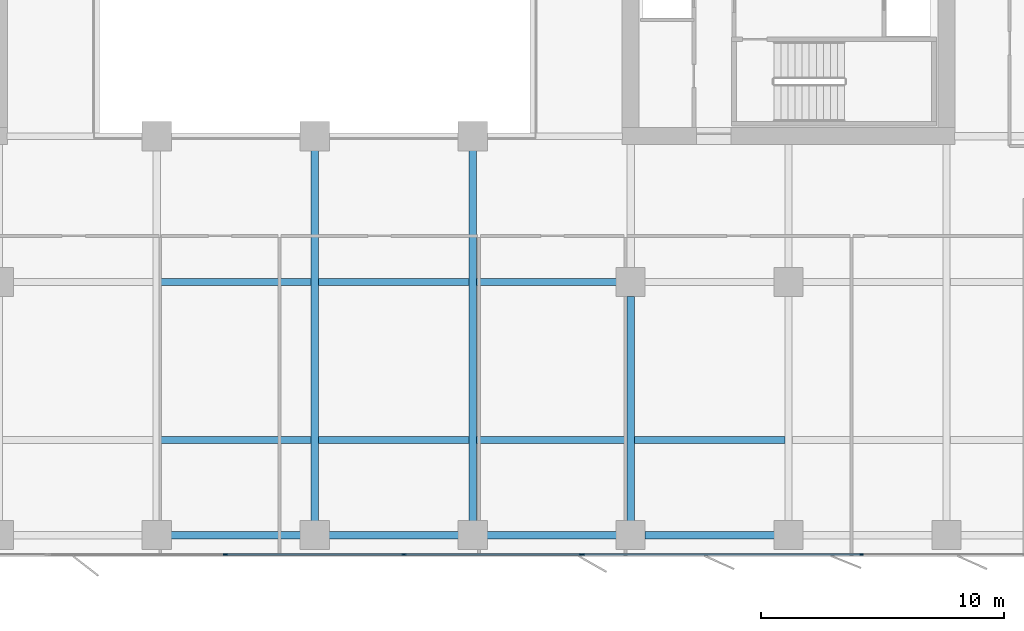
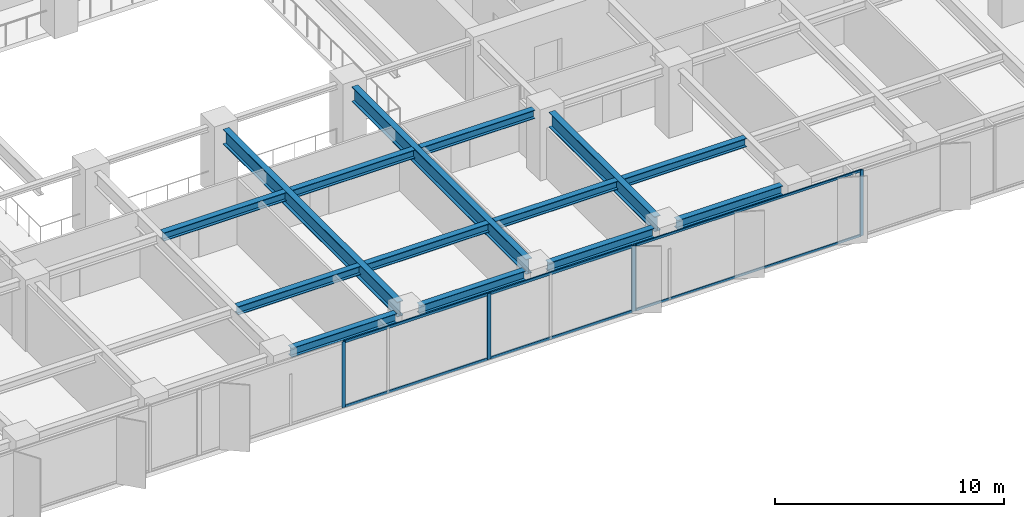
# One storey, part 5 of 20: 14 beams, 11 members, 2 elements without a shape of their own.
"""IFC4 building model written with IfcOpenShell, lengths in metres."""

from ifc_helpers import new_model, si_unit, direction, frame, origin, origin_2d, place, context, subcontext, project, spatial, rectangle, i_section, extrude, material, layer, layer_set, material_profile, profile_set, type_object, element, aggregate, save


model = new_model("IFC4")

# Units and contexts
model_context = context("Model", 3, precision=1e-05, world=origin(), true_north=direction((0.0, 1.0)))
body_context = subcontext(model_context, "Body", "Model", "MODEL_VIEW")
ifc_project = project(units=[si_unit("LENGTHUNIT", "METRE"), si_unit("AREAUNIT", "SQUARE_METRE"), si_unit("VOLUMEUNIT", "CUBIC_METRE"), si_unit("PLANEANGLEUNIT", "RADIAN"), si_unit("MASSUNIT", "GRAM", prefix="KILO")], contexts=[model_context])

# Site, building, storey
site_placement = place(None, origin())
site = spatial("IfcSite", under=ifc_project, at=site_placement, CompositionType="ELEMENT")
building_placement = place(site_placement, origin())
building = spatial("IfcBuilding", under=site, at=building_placement, Name="Putna Gate Headquarters", CompositionType="ELEMENT")
storey_placement = place(building_placement, frame((0.0, 0.0, 135.39990234375)))
storey = spatial("IfcBuildingStorey", under=building, at=storey_placement, Name="L33", CompositionType="ELEMENT", Elevation=135.39990234375)

# Beams
ifc_material_1 = material(Name="Steel S355J2", Category="steel")
ifc_material_profile_1 = material_profile(ifc_material_1, i_section(OverallWidth=0.300048828125, OverallDepth=0.800048828125, WebThickness=0.017578125, FlangeThickness=0.032958984375, at=origin_2d()), Name="Steel S355J2")
ifc_profile_set_1 = profile_set([ifc_material_profile_1], Name="Steel S355J2")
beam_type_1 = type_object("IfcBeamType", Name="BM-GIRD-P-HEB800", PredefinedType="USERDEFINED", material=ifc_profile_set_1)
for number, where, z_axis, x_axis, name in (
    (1, (39.0, 3.16796875, 3.1201171875), (0.0, 1.0, 0.0), (-1.0, 0.0, 0.0), "L33 South Primary Girder X39"),
    (2, (45.5, 3.16796875, 3.1201171875), (0.0, 1.0, 0.0), (-1.0, 0.0, 0.0), "L33 South Primary Girder X45"),
):
    element("IfcBeam", number, at=place(storey_placement, frame(where, z_axis=z_axis, x_axis=x_axis)), inside=storey, type_object=beam_type_1, Name=name, ObjectType="GIRDER", PredefinedType="USERDEFINED", context=body_context, shape_type="SweptSolid", body=[
        extrude(i_section(OverallWidth=0.300048828125, OverallDepth=0.800048828125, WebThickness=0.017578125, FlangeThickness=0.032958984375, at=origin_2d()), origin(), (0.0, 0.0, 1.0), 15.244140625),
    ])
beam_1_placement = place(storey_placement, frame((52.0, 3.16796875, 3.1201171875), z_axis=(0.0, 1.0, 0.0), x_axis=(-1.0, 0.0, 0.0)))
element("IfcBeam", 3, at=beam_1_placement, inside=storey, type_object=beam_type_1, Name="L33 South Primary Girder X52-1", ObjectType="GIRDER", PredefinedType="USERDEFINED", context=body_context, shape_type="SweptSolid", body=[
    extrude(i_section(OverallWidth=0.300048828125, OverallDepth=0.800048828125, WebThickness=0.017578125, FlangeThickness=0.032958984375, at=origin_2d()), origin(), (0.0, 0.0, 1.0), 9.244140625),
])
ifc_material_profile_2 = material_profile(ifc_material_1, i_section(OverallWidth=0.300048828125, OverallDepth=0.449951171875, WebThickness=0.013916015625, FlangeThickness=0.02587890625, at=origin_2d()), Name="Steel S355J2")
ifc_profile_set_2 = profile_set([ifc_material_profile_2], Name="Steel S355J2")
beam_type_2 = type_object("IfcBeamType", Name="BM-GIRD-Z5-HEB450", PredefinedType="USERDEFINED", material=ifc_profile_set_2)
for number, where, z_axis, x_axis, name in (
    (4, (32.654052734375, 6.5, 3.295166015625), (1.0, 0.0, 0.0), (0.0, 1.0, 0.0), "L33 South Secondary Beam 5"),
    (5, (32.654052734375, 13.0, 3.295166015625), (1.0, 0.0, 0.0), (0.0, 1.0, 0.0), "L33 South Secondary Beam 5"),
    (6, (39.154052734375, 6.5, 3.295166015625), (1.0, 0.0, 0.0), (0.0, 1.0, 0.0), "L33 South Secondary Beam 6"),
    (7, (39.154052734375, 13.0, 3.295166015625), (1.0, 0.0, 0.0), (0.0, 1.0, 0.0), "L33 South Secondary Beam 6"),
    (8, (45.654052734375, 6.5, 3.295166015625), (1.0, 0.0, 0.0), (0.0, 1.0, 0.0), "L33 South Secondary Beam 7"),
):
    element("IfcBeam", number, at=place(storey_placement, frame(where, z_axis=z_axis, x_axis=x_axis)), inside=storey, type_object=beam_type_2, Name=name, ObjectType="GIRDER", PredefinedType="USERDEFINED", context=body_context, shape_type="SweptSolid", body=[
        extrude(i_section(OverallWidth=0.300048828125, OverallDepth=0.449951171875, WebThickness=0.013916015625, FlangeThickness=0.02587890625, at=origin_2d()), origin(), (0.0, 0.0, 1.0), 6.19189453125),
    ])
beam_2_placement = place(storey_placement, frame((45.654052734375, 13.0, 3.295166015625), z_axis=(1.0, 0.0, 0.0), x_axis=(0.0, 1.0, 0.0)))
element("IfcBeam", 9, at=beam_2_placement, inside=storey, type_object=beam_type_2, Name="L33 South Secondary Beam 7", ObjectType="GIRDER", PredefinedType="USERDEFINED", context=body_context, shape_type="SweptSolid", body=[
    extrude(i_section(OverallWidth=0.300048828125, OverallDepth=0.449951171875, WebThickness=0.013916015625, FlangeThickness=0.02587890625, at=origin_2d()), origin(), (0.0, 0.0, 1.0), 5.758056640625),
])
beam_3_placement = place(storey_placement, frame((52.154052734375, 6.5, 3.295166015625), z_axis=(1.0, 0.0, 0.0), x_axis=(0.0, 1.0, 0.0)))
element("IfcBeam", 10, at=beam_3_placement, inside=storey, type_object=beam_type_2, Name="L33 South Secondary Beam 8", ObjectType="GIRDER", PredefinedType="USERDEFINED", context=body_context, shape_type="SweptSolid", body=[
    extrude(i_section(OverallWidth=0.300048828125, OverallDepth=0.449951171875, WebThickness=0.013916015625, FlangeThickness=0.02587890625, at=origin_2d()), origin(), (0.0, 0.0, 1.0), 6.19189453125),
])
ifc_material_profile_3 = material_profile(ifc_material_1, i_section(OverallWidth=0.300048828125, OverallDepth=0.489990234375, WebThickness=0.011962890625, FlangeThickness=0.02294921875, at=origin_2d()), Name="Steel S355J2")
ifc_profile_set_3 = profile_set([ifc_material_profile_3], Name="Steel S355J2")
beam_type_3 = type_object("IfcBeamType", Name="BM-SPAN-Z2-HEA500", PredefinedType="SPANDREL", material=ifc_profile_set_3)
for number, where, z_axis, x_axis, name in (
    (11, (33.087890625, 2.580078125, 3.275146484375), (1.0, 0.0, 0.0), (0.0, 1.0, 0.0), "L33 S Perimeter Spandrel 5"),
    (12, (39.587890625, 2.580078125, 3.275146484375), (1.0, 0.0, 0.0), (0.0, 1.0, 0.0), "L33 S Perimeter Spandrel 6"),
    (13, (46.087890625, 2.580078125, 3.275146484375), (1.0, 0.0, 0.0), (0.0, 1.0, 0.0), "L33 S Perimeter Spandrel 7"),
    (14, (52.587890625, 2.580078125, 3.275146484375), (1.0, 0.0, 0.0), (0.0, 1.0, 0.0), "L33 S Perimeter Spandrel 8"),
):
    element("IfcBeam", number, at=place(storey_placement, frame(where, z_axis=z_axis, x_axis=x_axis)), inside=storey, type_object=beam_type_3, Name=name, PredefinedType="SPANDREL", context=body_context, shape_type="SweptSolid", body=[
        extrude(i_section(OverallWidth=0.300048828125, OverallDepth=0.489990234375, WebThickness=0.011962890625, FlangeThickness=0.02294921875, at=origin_2d()), origin(), (0.0, 0.0, 1.0), 5.32421875),
    ])

# Curtain wall, members
ifc_material_2 = material(Name="Anodised bronze aluminium curtain wall", Category="aluminium")
ifc_layer_1 = layer(ifc_material_2, 0.159912109375)
ifc_layer_set_1 = layer_set([ifc_layer_1], Name="Anodised bronze aluminium curtain wall")
curtain_wall_type_1 = type_object("IfcCurtainWallType", Name="CW-SYS-Z2", PredefinedType="USERDEFINED", material=ifc_layer_set_1)
curtain_wall_1_placement = place(storey_placement, origin())
curtain_wall_1 = element("IfcCurtainWall", 15, at=curtain_wall_1_placement, inside=storey, type_object=curtain_wall_type_1, Name="L33 South East Curtain Wall", ObjectType="STICK CURTAIN WALL", PredefinedType="USERDEFINED")
ifc_material_3 = material(Name="Anodised bronze aluminium EN AW-6060", Category="aluminium")
ifc_material_profile_4 = material_profile(ifc_material_3, rectangle(XDim=0.06494140625, YDim=0.159912109375, at=origin_2d()), Name="Anodised bronze aluminium EN AW-6060")
ifc_profile_set_4 = profile_set([ifc_material_profile_4], Name="Anodised bronze aluminium EN AW-6060")
member_type_1 = type_object("IfcMemberType", Name="MULL-CWM-2", PredefinedType="MULLION", material=ifc_profile_set_4)
member_1_placement = place(storey_placement, frame((50.032470703125, 1.780029296875, 0.0), z_axis=(0.0, 0.0, 1.0), x_axis=(0.0, 1.0, 0.0)))
member_1 = element("IfcMember", 16, at=member_1_placement, type_object=member_type_1, Name="CWS-2 mullion 1", PredefinedType="MULLION", context=body_context, shape_type="SweptSolid", body=[
    extrude(rectangle(XDim=0.06494140625, YDim=0.159912109375, at=origin_2d()), origin(), (0.0, 0.0, 1.0), 3.52001953125),
])
member_2_placement = place(storey_placement, frame((61.5, 1.780029296875, 0.0), z_axis=(0.0, 0.0, 1.0), x_axis=(0.0, 1.0, 0.0)))
member_2 = element("IfcMember", 17, at=member_2_placement, type_object=member_type_1, Name="CWS-2 mullion 2", PredefinedType="MULLION", context=body_context, shape_type="SweptSolid", body=[
    extrude(rectangle(XDim=0.06494140625, YDim=0.159912109375, at=origin_2d()), origin(), (0.0, 0.0, 1.0), 3.52001953125),
])

ifc_layer_2 = layer(ifc_material_2, 0.179931640625)
ifc_layer_set_2 = layer_set([ifc_layer_2], Name="Anodised bronze aluminium curtain wall")
curtain_wall_type_2 = type_object("IfcCurtainWallType", Name="CW-SYS-ATR", PredefinedType="USERDEFINED", material=ifc_layer_set_2)
curtain_wall_2_placement = place(storey_placement, origin())
curtain_wall_2 = element("IfcCurtainWall", 18, at=curtain_wall_2_placement, inside=storey, type_object=curtain_wall_type_2, Name="L33 South Atrium Clear Glazing", ObjectType="ATRIUM GLAZING", PredefinedType="USERDEFINED")
ifc_material_profile_5 = material_profile(ifc_material_3, rectangle(XDim=0.070068359375, YDim=0.179931640625, at=origin_2d()), Name="Anodised bronze aluminium EN AW-6060")
ifc_profile_set_5 = profile_set([ifc_material_profile_5], Name="Anodised bronze aluminium EN AW-6060")
member_type_2 = type_object("IfcMemberType", Name="MULL-CWM-AT", PredefinedType="MULLION", material=ifc_profile_set_5)
member_3_placement = place(storey_placement, frame((35.333251953125, 1.780029296875, 0.0), z_axis=(0.0, 0.0, 1.0), x_axis=(0.0, 1.0, 0.0)))
member_3 = element("IfcMember", 19, at=member_3_placement, type_object=member_type_2, Name="CWS-AT mullion 2", PredefinedType="MULLION", context=body_context, shape_type="SweptSolid", body=[
    extrude(rectangle(XDim=0.070068359375, YDim=0.179931640625, at=origin_2d()), origin(), (0.0, 0.0, 1.0), 3.52001953125),
])
member_4_placement = place(storey_placement, frame((42.666748046875, 1.780029296875, 0.0), z_axis=(0.0, 0.0, 1.0), x_axis=(0.0, 1.0, 0.0)))
member_4 = element("IfcMember", 20, at=member_4_placement, type_object=member_type_2, Name="CWS-AT mullion 3", PredefinedType="MULLION", context=body_context, shape_type="SweptSolid", body=[
    extrude(rectangle(XDim=0.070068359375, YDim=0.179931640625, at=origin_2d()), origin(), (0.0, 0.0, 1.0), 3.52001953125),
])
member_5_placement = place(storey_placement, frame((49.965087890625, 1.780029296875, 0.0), z_axis=(0.0, 0.0, 1.0), x_axis=(0.0, 1.0, 0.0)))
member_5 = element("IfcMember", 21, at=member_5_placement, type_object=member_type_2, Name="CWS-AT mullion 4", PredefinedType="MULLION", context=body_context, shape_type="SweptSolid", body=[
    extrude(rectangle(XDim=0.070068359375, YDim=0.179931640625, at=origin_2d()), origin(), (0.0, 0.0, 1.0), 3.52001953125),
])

# Member
ifc_material_profile_6 = material_profile(ifc_material_3, rectangle(XDim=0.06494140625, YDim=0.1201171875, at=origin_2d()), Name="Anodised bronze aluminium EN AW-6060")
ifc_profile_set_6 = profile_set([ifc_material_profile_6], Name="Anodised bronze aluminium EN AW-6060")
member_type_3 = type_object("IfcMemberType", Name="TRAN-CWT-2", PredefinedType="USERDEFINED", material=ifc_profile_set_6)
member_6_placement = place(storey_placement, frame((50.06494140625, 1.780029296875, 0.03271484375), z_axis=(1.0, 0.0, 0.0), x_axis=(0.0, 1.0, 0.0)))
member_6 = element("IfcMember", 22, at=member_6_placement, type_object=member_type_3, Name="CWS-2 transom 1.1", ObjectType="TRANSOM", PredefinedType="USERDEFINED", context=body_context, shape_type="SweptSolid", body=[
    extrude(rectangle(XDim=0.06494140625, YDim=0.1201171875, at=origin_2d()), origin(), (0.0, 0.0, 1.0), 11.402587890625),
])

member_7_placement = place(storey_placement, frame((50.06494140625, 1.780029296875, 3.487548828125), z_axis=(1.0, 0.0, 0.0), x_axis=(0.0, 1.0, 0.0)))
member_7 = element("IfcMember", 23, at=member_7_placement, type_object=member_type_3, Name="CWS-2 transom 1.2", ObjectType="TRANSOM", PredefinedType="USERDEFINED", context=body_context, shape_type="SweptSolid", body=[
    extrude(rectangle(XDim=0.06494140625, YDim=0.1201171875, at=origin_2d()), origin(), (0.0, 0.0, 1.0), 11.402587890625),
])

aggregate(curtain_wall_1, [member_1, member_2, member_6, member_7])

ifc_material_profile_7 = material_profile(ifc_material_3, rectangle(XDim=0.070068359375, YDim=0.139892578125, at=origin_2d()), Name="Anodised bronze aluminium EN AW-6060")
ifc_profile_set_7 = profile_set([ifc_material_profile_7], Name="Anodised bronze aluminium EN AW-6060")
member_type_4 = type_object("IfcMemberType", Name="TRAN-CWT-AT", PredefinedType="USERDEFINED", material=ifc_profile_set_7)
member_8_placement = place(storey_placement, frame((35.368408203125, 1.780029296875, 0.03515625), z_axis=(1.0, 0.0, 0.0), x_axis=(0.0, 1.0, 0.0)))
member_8 = element("IfcMember", 24, at=member_8_placement, type_object=member_type_4, Name="CWS-AT transom 2.1", ObjectType="TRANSOM", PredefinedType="USERDEFINED", context=body_context, shape_type="SweptSolid", body=[
    extrude(rectangle(XDim=0.070068359375, YDim=0.139892578125, at=origin_2d()), origin(), (0.0, 0.0, 1.0), 7.26318359375),
])

member_9_placement = place(storey_placement, frame((35.368408203125, 1.780029296875, 3.485107421875), z_axis=(1.0, 0.0, 0.0), x_axis=(0.0, 1.0, 0.0)))
member_9 = element("IfcMember", 25, at=member_9_placement, type_object=member_type_4, Name="CWS-AT transom 2.2", ObjectType="TRANSOM", PredefinedType="USERDEFINED", context=body_context, shape_type="SweptSolid", body=[
    extrude(rectangle(XDim=0.070068359375, YDim=0.139892578125, at=origin_2d()), origin(), (0.0, 0.0, 1.0), 7.26318359375),
])

member_10_placement = place(storey_placement, frame((42.70166015625, 1.780029296875, 0.03515625), z_axis=(1.0, 0.0, 0.0), x_axis=(0.0, 1.0, 0.0)))
member_10 = element("IfcMember", 26, at=member_10_placement, type_object=member_type_4, Name="CWS-AT transom 3.1", ObjectType="TRANSOM", PredefinedType="USERDEFINED", context=body_context, shape_type="SweptSolid", body=[
    extrude(rectangle(XDim=0.070068359375, YDim=0.139892578125, at=origin_2d()), origin(), (0.0, 0.0, 1.0), 7.228271484375),
])

member_11_placement = place(storey_placement, frame((42.70166015625, 1.780029296875, 3.485107421875), z_axis=(1.0, 0.0, 0.0), x_axis=(0.0, 1.0, 0.0)))
member_11 = element("IfcMember", 27, at=member_11_placement, type_object=member_type_4, Name="CWS-AT transom 3.2", ObjectType="TRANSOM", PredefinedType="USERDEFINED", context=body_context, shape_type="SweptSolid", body=[
    extrude(rectangle(XDim=0.070068359375, YDim=0.139892578125, at=origin_2d()), origin(), (0.0, 0.0, 1.0), 7.228271484375),
])

aggregate(curtain_wall_2, [member_3, member_4, member_5, member_8, member_9, member_10, member_11])

save(model, "model.ifc")
